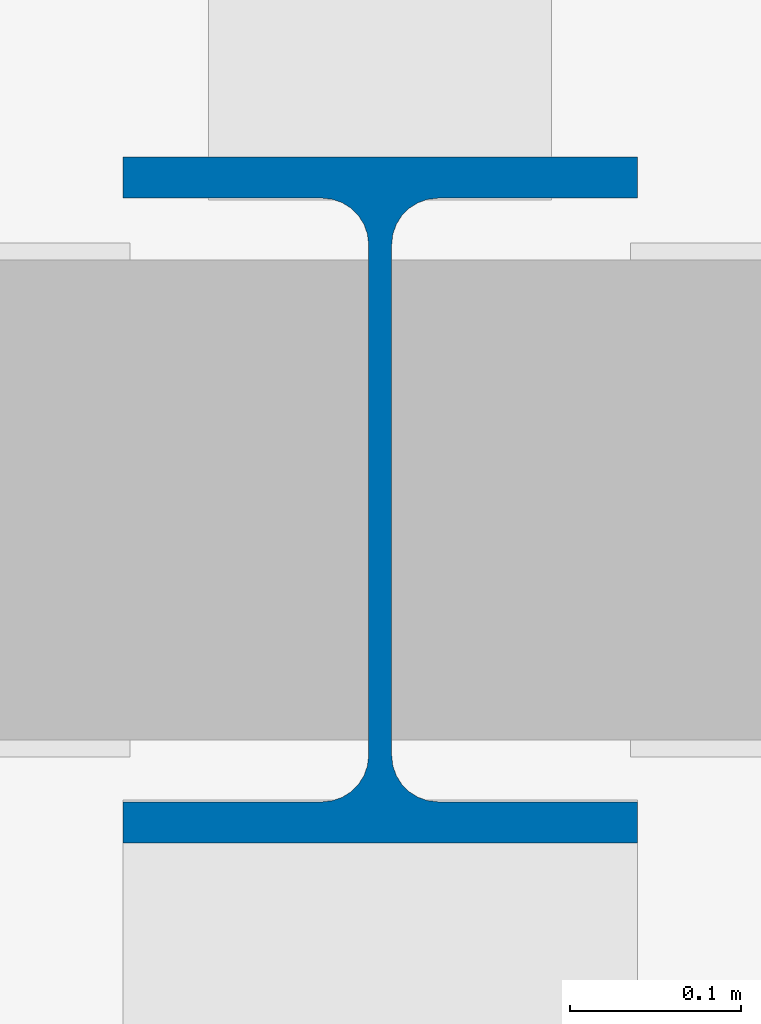
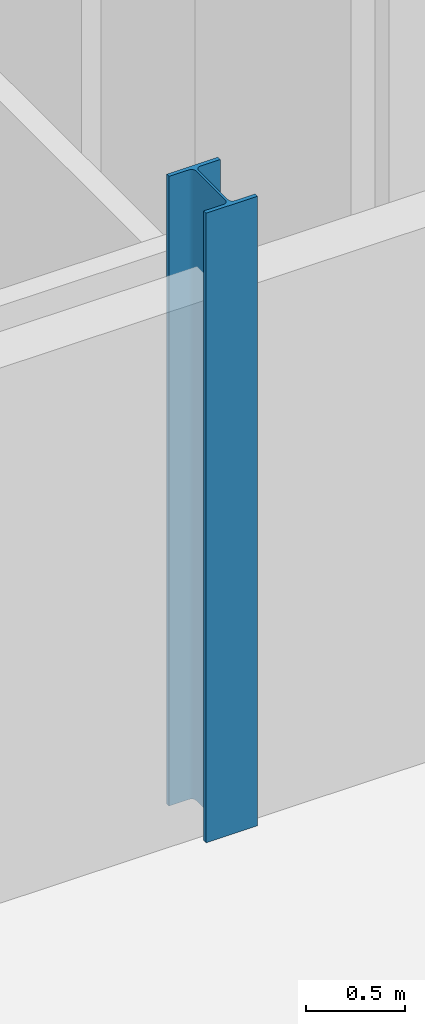
# One storey, part 2 of 36: 1 column.
"""IFC4 building model written with IfcOpenShell, lengths in metres."""

from ifc_helpers import new_model, si_unit, direction, frame, origin, origin_2d, place, context, subcontext, project, spatial, i_section, extrude, material, material_profile, profile_set, type_object, element, save


model = new_model("IFC4")

# Units and contexts
model_context = context("Model", 3, precision=1e-05, world=origin(), true_north=direction((0.0, 1.0)))
body_context = subcontext(model_context, "Body", "Model", "MODEL_VIEW")
ifc_project = project(units=[si_unit("LENGTHUNIT", "METRE"), si_unit("AREAUNIT", "SQUARE_METRE"), si_unit("VOLUMEUNIT", "CUBIC_METRE"), si_unit("PLANEANGLEUNIT", "RADIAN"), si_unit("MASSUNIT", "GRAM", prefix="KILO")], contexts=[model_context])

# Site, building, storey
site_placement = place(None, origin())
site = spatial("IfcSite", under=ifc_project, at=site_placement, CompositionType="ELEMENT")
building_placement = place(site_placement, origin())
building = spatial("IfcBuilding", under=site, at=building_placement, Name="Kimbaza Rail Terminus", CompositionType="ELEMENT")
storey_placement = place(building_placement, frame((0.0, 0.0, 21.0)))
storey = spatial("IfcBuildingStorey", under=building, at=storey_placement, Name="L04", CompositionType="ELEMENT", Elevation=21.0)

# Column
ifc_material = material(Name="Steel S355", Category="steel")
ifc_material_profile = material_profile(ifc_material, i_section(OverallWidth=0.300048828125, OverallDepth=0.39990234375, WebThickness=0.013427734375, FlangeThickness=0.02392578125, FilletRadius=0.027099609375, at=origin_2d()), Name="HEB 400")
ifc_profile_set = profile_set([ifc_material_profile], Name="Steel S355")
column_type = type_object("IfcColumnType", Name="STR-COL-HEB400", PredefinedType="COLUMN", material=ifc_profile_set)
column_placement = place(storey_placement, frame((105.60009765625, 103.0, 0.0), z_axis=(0.0, 0.0, 1.0), x_axis=(1.0, 0.0, 0.0)))
element("IfcColumn", 1, at=column_placement, inside=storey, type_object=column_type, Name="Operations Column L04 (3,0)", PredefinedType="COLUMN", context=body_context, shape_type="SweptSolid", body=[
    extrude(i_section(OverallWidth=0.300048828125, OverallDepth=0.39990234375, WebThickness=0.013427734375, FlangeThickness=0.02392578125, FilletRadius=0.027099609375, at=origin_2d()), origin(), (0.0, 0.0, 1.0), 3.89990234375),
])

save(model, "model.ifc")
